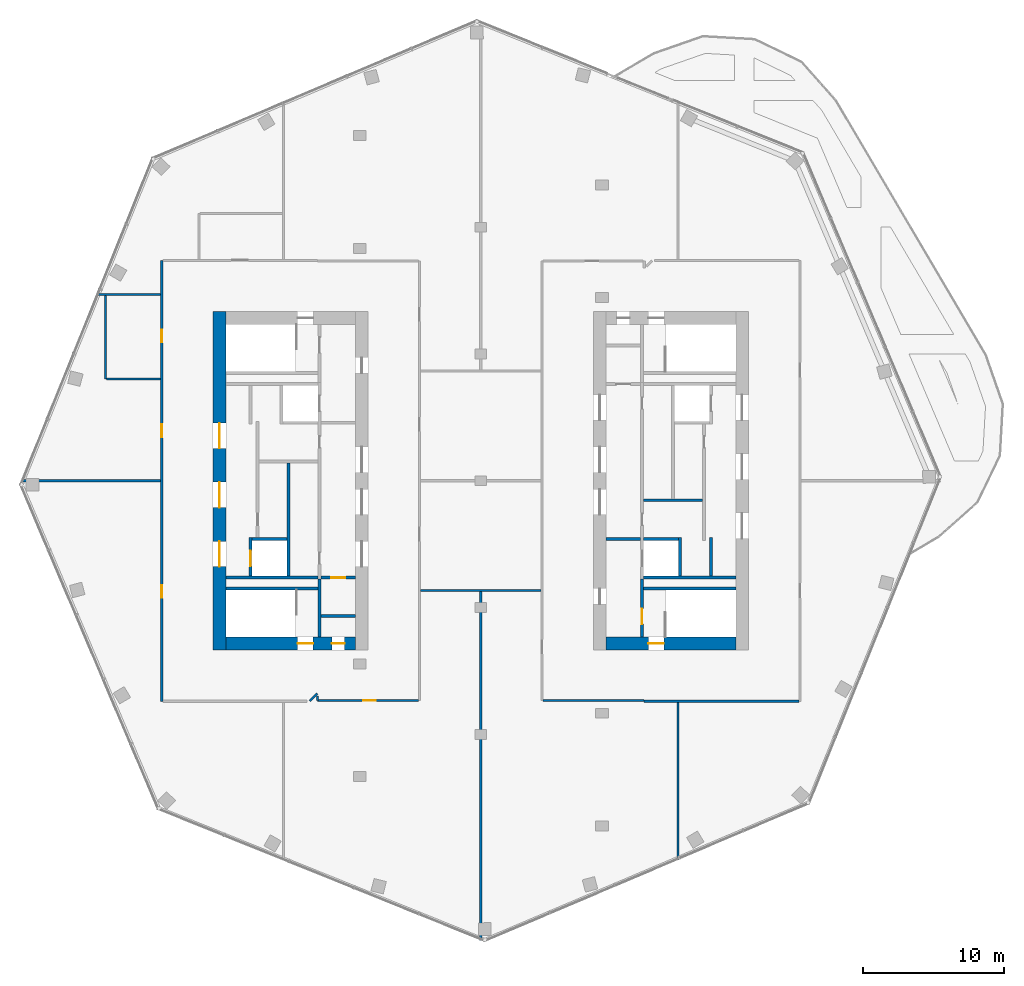
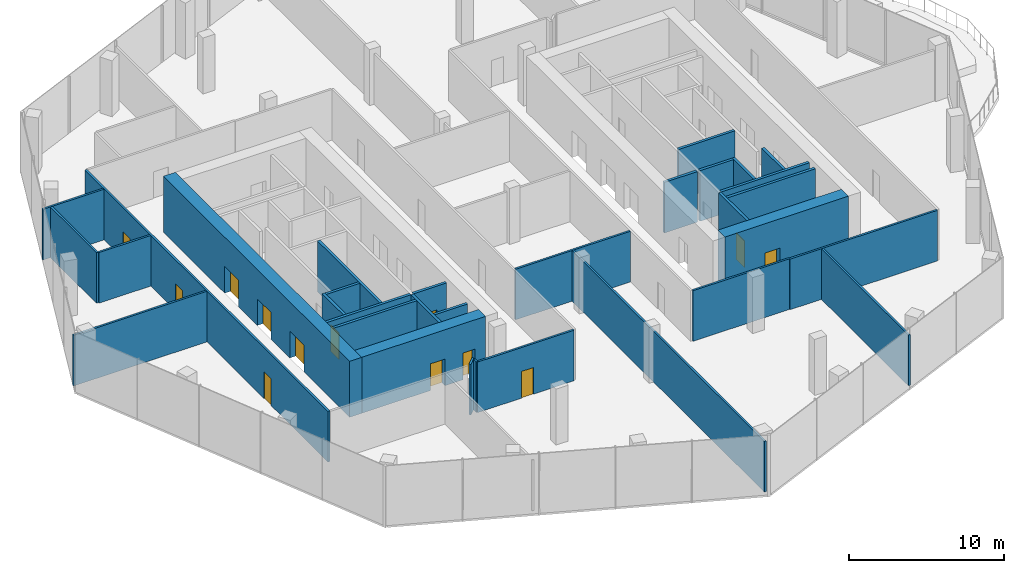
# One storey, part 12 of 15: 32 walls, 13 doors, 13 openings.
"""IFC4 building model written with IfcOpenShell, lengths in metres."""

from ifc_helpers import new_model, si_unit, direction, frame, frame_2d, origin, place, context, subcontext, project, spatial, rectangle, extrude, material, layer, layer_set, type_object, element, fill, save


model = new_model("IFC4")

# Units and contexts
model_context = context("Model", 3, precision=1e-05, world=origin(), true_north=direction((0.0, 1.0)))
body_context = subcontext(model_context, "Body", "Model", "MODEL_VIEW")
ifc_project = project(units=[si_unit("LENGTHUNIT", "METRE"), si_unit("AREAUNIT", "SQUARE_METRE"), si_unit("VOLUMEUNIT", "CUBIC_METRE"), si_unit("PLANEANGLEUNIT", "RADIAN"), si_unit("MASSUNIT", "GRAM", prefix="KILO")], contexts=[model_context])

# Site, building, storey
site_placement = place(None, origin())
site = spatial("IfcSite", under=ifc_project, at=site_placement, CompositionType="ELEMENT")
building_placement = place(site_placement, origin())
building = spatial("IfcBuilding", under=site, at=building_placement, Name="Orlundy Tower", CompositionType="ELEMENT")
storey_placement = place(building_placement, frame((0.0, 0.0, 299.89990234375)))
storey = spatial("IfcBuildingStorey", under=building, at=storey_placement, Name="L80", CompositionType="ELEMENT", Elevation=299.89990234375)

# Wall, openings, doors
ifc_material_1 = material(Name="Concrete C50/60", Category="concrete")
ifc_layer_1 = layer(ifc_material_1, 0.89990234375)
ifc_layer_set_1 = layer_set([ifc_layer_1], Name="CORE WALL 900 C50/60")
wall_type_1 = type_object("IfcWallType", Name="CORE WALL 900 C50/60", PredefinedType="SHEAR", material=ifc_layer_set_1)
wall_1_placement = place(storey_placement, frame((-18.10009765625, -11.550048828125, 0.0), z_axis=(0.0, 0.0, 1.0), x_axis=(1.0, 0.0, 0.0)))
wall_1 = element("IfcWall", 1, at=wall_1_placement, inside=storey, type_object=wall_type_1, Name="Core wall W-S L80", PredefinedType="SHEAR", context=body_context, shape_type="SweptSolid", body=[
    extrude(rectangle(XDim=9.2001953125, YDim=0.89990234375, at=frame_2d((4.60009765625, 0.0))), origin(), (0.0, 0.0, 1.0), 4.400146484375),
])
opening_1_placement = place(wall_1_placement, frame((5.10009765625, 0.0, 0.0)))
opening_1 = element("IfcOpeningElement", 2, at=opening_1_placement, cuts=wall_1, Name="Opening 62014", PredefinedType="OPENING", context=body_context, shape_type="SweptSolid", body=[
    extrude(rectangle(XDim=1.10009765625, YDim=2.10009765625, at=frame_2d((0.550048828125, 1.050048828125))), frame((0.0, 0.4599609375, 0.0), z_axis=(0.0, -1.0, 0.0), x_axis=(1.0, 0.0, 0.0)), (0.0, 0.0, 1.0), 0.919921875),
])
opening_2_placement = place(wall_1_placement, frame((7.530029296875, 0.0, 0.0)))
opening_2 = element("IfcOpeningElement", 3, at=opening_2_placement, cuts=wall_1, Name="Opening 62016", PredefinedType="OPENING", context=body_context, shape_type="SweptSolid", body=[
    extrude(rectangle(XDim=0.89990234375, YDim=2.10009765625, at=frame_2d((0.449951171875, 1.050048828125))), frame((0.0, 0.4599609375, 0.0), z_axis=(0.0, -1.0, 0.0), x_axis=(1.0, 0.0, 0.0)), (0.0, 0.0, 1.0), 0.919921875),
])
ifc_material_2 = material(Name="Timber door set", Category="wood")
door_type_1 = type_object("IfcDoorType", Name="Room Door 900x2100", OperationType="SINGLE_SWING_LEFT", PredefinedType="DOOR", material=ifc_material_2)
door_1_placement = place(opening_2_placement, origin())
door_1 = element("IfcDoor", 4, at=door_1_placement, inside=storey, type_object=door_type_1, Name="Store door 62016", OperationType="SINGLE_SWING_RIGHT", OverallHeight=2.10009765625, OverallWidth=0.89990234375, PredefinedType="DOOR", context=body_context, shape_type="SweptSolid", body=[
    extrude(rectangle(XDim=0.89990234375, YDim=2.10009765625, at=frame_2d((0.449951171875, 1.050048828125))), frame((0.0, 0.02490234375, 0.0), z_axis=(0.0, -1.0, 0.0), x_axis=(1.0, 0.0, 0.0)), (0.0, 0.0, 1.0), 0.050048828125),
])
fill(opening_2, door_1)
ifc_material_3 = material(Name="Steel door set", Category="steel")
door_type_2 = type_object("IfcDoorType", Name="Stair Door 1100x2100", OperationType="SINGLE_SWING_LEFT", PredefinedType="DOOR", material=ifc_material_3)
door_2_placement = place(opening_1_placement, origin())
door_2 = element("IfcDoor", 5, at=door_2_placement, inside=storey, type_object=door_type_2, Name="Stair door 62014", OperationType="SINGLE_SWING_RIGHT", OverallHeight=2.10009765625, OverallWidth=1.10009765625, PredefinedType="DOOR", context=body_context, shape_type="SweptSolid", body=[
    extrude(rectangle(XDim=1.10009765625, YDim=2.10009765625, at=frame_2d((0.550048828125, 1.050048828125))), frame((0.0, 0.02490234375, 0.0), z_axis=(0.0, -1.0, 0.0), x_axis=(1.0, 0.0, 0.0)), (0.0, 0.0, 1.0), 0.050048828125),
])
fill(opening_1, door_2)

wall_2_placement = place(storey_placement, frame((-18.550048828125, -12.0, 0.0), z_axis=(0.0, 0.0, 1.0), x_axis=(0.0, 1.0, 0.0)))
wall_2 = element("IfcWall", 6, at=wall_2_placement, inside=storey, type_object=wall_type_1, Name="Core wall W-W L80", PredefinedType="SHEAR", context=body_context, shape_type="SweptSolid", body=[
    extrude(rectangle(XDim=24.0, YDim=0.89990234375, at=frame_2d((12.0, 0.0))), origin(), (0.0, 0.0, 1.0), 4.400146484375),
])
opening_3_placement = place(wall_2_placement, frame((5.89990234375, 0.0, 0.0)))
opening_3 = element("IfcOpeningElement", 7, at=opening_3_placement, cuts=wall_2, Name="Opening 62007", PredefinedType="OPENING", context=body_context, shape_type="SweptSolid", body=[
    extrude(rectangle(XDim=1.800048828125, YDim=2.10009765625, at=frame_2d((0.89990234375, 1.050048828125))), frame((0.0, 0.4599609375, 0.0), z_axis=(0.0, -1.0, 0.0), x_axis=(1.0, 0.0, 0.0)), (0.0, 0.0, 1.0), 0.919921875),
])
opening_4_placement = place(wall_2_placement, frame((10.10009765625, 0.0, 0.0)))
opening_4 = element("IfcOpeningElement", 8, at=opening_4_placement, cuts=wall_2, Name="Opening 62008", PredefinedType="OPENING", context=body_context, shape_type="SweptSolid", body=[
    extrude(rectangle(XDim=1.800048828125, YDim=2.10009765625, at=frame_2d((0.89990234375, 1.050048828125))), frame((0.0, 0.4599609375, 0.0), z_axis=(0.0, -1.0, 0.0), x_axis=(1.0, 0.0, 0.0)), (0.0, 0.0, 1.0), 0.919921875),
])
opening_5_placement = place(wall_2_placement, frame((14.300048828125, 0.0, 0.0)))
opening_5 = element("IfcOpeningElement", 9, at=opening_5_placement, cuts=wall_2, Name="Opening 62009", PredefinedType="OPENING", context=body_context, shape_type="SweptSolid", body=[
    extrude(rectangle(XDim=1.800048828125, YDim=2.10009765625, at=frame_2d((0.89990234375, 1.050048828125))), frame((0.0, 0.4599609375, 0.0), z_axis=(0.0, -1.0, 0.0), x_axis=(1.0, 0.0, 0.0)), (0.0, 0.0, 1.0), 0.919921875),
])
ifc_material_4 = material(Name="Timber door set", Category="wood")
door_type_3 = type_object("IfcDoorType", Name="Lobby Door 1800x2100", OperationType="DOUBLE_DOOR_DOUBLE_SWING", PredefinedType="DOOR", material=ifc_material_4)
door_3_placement = place(opening_3_placement, origin())
door_3 = element("IfcDoor", 10, at=door_3_placement, inside=storey, type_object=door_type_3, Name="Lift lobby door 62007", OperationType="SINGLE_SWING_LEFT", OverallHeight=2.10009765625, OverallWidth=1.800048828125, PredefinedType="DOOR", context=body_context, shape_type="SweptSolid", body=[
    extrude(rectangle(XDim=1.800048828125, YDim=2.10009765625, at=frame_2d((0.89990234375, 1.050048828125))), frame((0.0, 0.02490234375, 0.0), z_axis=(0.0, -1.0, 0.0), x_axis=(1.0, 0.0, 0.0)), (0.0, 0.0, 1.0), 0.050048828125),
])
fill(opening_3, door_3)
door_4_placement = place(opening_4_placement, origin())
door_4 = element("IfcDoor", 11, at=door_4_placement, inside=storey, type_object=door_type_3, Name="Lift lobby door 62008", OperationType="SINGLE_SWING_LEFT", OverallHeight=2.10009765625, OverallWidth=1.800048828125, PredefinedType="DOOR", context=body_context, shape_type="SweptSolid", body=[
    extrude(rectangle(XDim=1.800048828125, YDim=2.10009765625, at=frame_2d((0.89990234375, 1.050048828125))), frame((0.0, 0.02490234375, 0.0), z_axis=(0.0, -1.0, 0.0), x_axis=(1.0, 0.0, 0.0)), (0.0, 0.0, 1.0), 0.050048828125),
])
fill(opening_4, door_4)
door_5_placement = place(opening_5_placement, origin())
door_5 = element("IfcDoor", 12, at=door_5_placement, inside=storey, type_object=door_type_3, Name="Lift lobby door 62009", OperationType="SINGLE_SWING_RIGHT", OverallHeight=2.10009765625, OverallWidth=1.800048828125, PredefinedType="DOOR", context=body_context, shape_type="SweptSolid", body=[
    extrude(rectangle(XDim=1.800048828125, YDim=2.10009765625, at=frame_2d((0.89990234375, 1.050048828125))), frame((0.0, 0.02490234375, 0.0), z_axis=(0.0, -1.0, 0.0), x_axis=(1.0, 0.0, 0.0)), (0.0, 0.0, 1.0), 0.050048828125),
])
fill(opening_5, door_5)

# Wall, opening, door
wall_3_placement = place(storey_placement, frame((8.89990234375, -11.550048828125, 0.0), z_axis=(0.0, 0.0, 1.0), x_axis=(1.0, 0.0, 0.0)))
wall_3 = element("IfcWall", 13, at=wall_3_placement, inside=storey, type_object=wall_type_1, Name="Core wall E-S L80", PredefinedType="SHEAR", context=body_context, shape_type="SweptSolid", body=[
    extrude(rectangle(XDim=9.2001953125, YDim=0.89990234375, at=frame_2d((4.60009765625, 0.0))), origin(), (0.0, 0.0, 1.0), 4.400146484375),
])
opening_6_placement = place(wall_3_placement, frame((3.0, 0.0, 0.0)))
opening_6 = element("IfcOpeningElement", 14, at=opening_6_placement, cuts=wall_3, Name="Opening 62062", PredefinedType="OPENING", context=body_context, shape_type="SweptSolid", body=[
    extrude(rectangle(XDim=1.10009765625, YDim=2.10009765625, at=frame_2d((0.550048828125, 1.050048828125))), frame((0.0, 0.4599609375, 0.0), z_axis=(0.0, -1.0, 0.0), x_axis=(1.0, 0.0, 0.0)), (0.0, 0.0, 1.0), 0.919921875),
])
door_6_placement = place(opening_6_placement, origin())
door_6 = element("IfcDoor", 15, at=door_6_placement, inside=storey, type_object=door_type_2, Name="Stair door 62062", OperationType="SINGLE_SWING_LEFT", OverallHeight=2.10009765625, OverallWidth=1.10009765625, PredefinedType="DOOR", context=body_context, shape_type="SweptSolid", body=[
    extrude(rectangle(XDim=1.10009765625, YDim=2.10009765625, at=frame_2d((0.550048828125, 1.050048828125))), frame((0.0, 0.02490234375, 0.0), z_axis=(0.0, -1.0, 0.0), x_axis=(1.0, 0.0, 0.0)), (0.0, 0.0, 1.0), 0.050048828125),
])
fill(opening_6, door_6)

# Walls
ifc_material_5 = material(Name="Blockwork shaft wall", Category="masonry")
ifc_layer_2 = layer(ifc_material_5, 0.14990234375)
ifc_layer_set_2 = layer_set([ifc_layer_2], Name="Floor shaft wall 150")
wall_type_2 = type_object("IfcWallType", Name="Floor shaft wall 150", PredefinedType="PARTITIONING", material=ifc_layer_set_2)
wall_4_placement = place(storey_placement, frame((-11.60107421875, -15.27294921875, 0.0), z_axis=(0.0, 0.0, 1.0), x_axis=(0.002985061327, -0.999995544695, 0.0)))
element("IfcWall", 16, at=wall_4_placement, inside=storey, type_object=wall_type_2, Name="wall-int-L80-001", PredefinedType="PARTITIONING", context=body_context, shape_type="SweptSolid", body=[
    extrude(rectangle(XDim=0.3271484375, YDim=0.14990234375, at=frame_2d((0.16357421875, 0.0))), origin(), (0.0, 0.0, 1.0), 3.97998046875),
])
wall_5_placement = place(storey_placement, frame((11.591064453125, -15.65087890625, 0.0), z_axis=(0.0, 0.0, 1.0), x_axis=(1.0, 0.0, 0.0)))
element("IfcWall", 17, at=wall_5_placement, inside=storey, type_object=wall_type_2, Name="wall-int-L80-003", PredefinedType="PARTITIONING", context=body_context, shape_type="SweptSolid", body=[
    extrude(rectangle(XDim=10.98388671875, YDim=0.14990234375, at=frame_2d((5.491943359375, 0.0))), origin(), (0.0, 0.0, 1.0), 3.97998046875),
])

# Wall, opening, door
wall_6_placement = place(storey_placement, frame((-4.424072265625, -15.60009765625, 0.0), z_axis=(0.0, 0.0, 1.0), x_axis=(-1.0, 0.0, 0.0)))
wall_6 = element("IfcWall", 18, at=wall_6_placement, inside=storey, type_object=wall_type_2, Name="wall-int-L80-004", PredefinedType="PARTITIONING", context=body_context, shape_type="SweptSolid", body=[
    extrude(rectangle(XDim=7.176025390625, YDim=0.14990234375, at=frame_2d((3.587890625, 0.0))), origin(), (0.0, 0.0, 1.0), 3.97998046875),
])
opening_7_placement = place(wall_6_placement, frame((3.02490234375, 0.0, 0.0)))
opening_7 = element("IfcOpeningElement", 19, at=opening_7_placement, cuts=wall_6, Name="Opening 62101", PredefinedType="OPENING", context=body_context, shape_type="SweptSolid", body=[
    extrude(rectangle(XDim=0.89990234375, YDim=2.10009765625, at=frame_2d((0.449951171875, 1.050048828125))), frame((0.0, 0.0849609375, 0.0), z_axis=(0.0, -1.0, 0.0), x_axis=(1.0, 0.0, 0.0)), (0.0, 0.0, 1.0), 0.169921875),
])
ifc_material_6 = material(Name="Timber door leaf", Category="wood")
door_type_4 = type_object("IfcDoorType", Name="Floor door single 900 FD60", OperationType="NOTDEFINED", PredefinedType="DOOR", material=ifc_material_6)
door_7_placement = place(opening_7_placement, origin())
door_7 = element("IfcDoor", 20, at=door_7_placement, inside=storey, type_object=door_type_4, Name="Door 62101", OperationType="SINGLE_SWING_LEFT", OverallHeight=2.10009765625, OverallWidth=0.89990234375, PredefinedType="DOOR", context=body_context, shape_type="SweptSolid", body=[
    extrude(rectangle(XDim=0.89990234375, YDim=2.10009765625, at=frame_2d((0.449951171875, 1.050048828125))), frame((0.0, 0.02490234375, 0.0), z_axis=(0.0, -1.0, 0.0), x_axis=(1.0, 0.0, 0.0)), (0.0, 0.0, 1.0), 0.050048828125),
])
fill(opening_7, door_7)

# Walls
wall_7_placement = place(storey_placement, frame((4.425048828125, -15.60009765625, 0.0), z_axis=(0.0, 0.0, 1.0), x_axis=(0.999999990712, -0.000136295487, 0.0)))
element("IfcWall", 21, at=wall_7_placement, inside=storey, type_object=wall_type_2, Name="wall-int-L80-005", PredefinedType="PARTITIONING", context=body_context, shape_type="SweptSolid", body=[
    extrude(rectangle(XDim=7.1650390625, YDim=0.14990234375, at=frame_2d((3.58251953125, 0.0))), origin(), (0.0, 0.0, 1.0), 3.97998046875),
])
wall_8_placement = place(storey_placement, frame((-4.27392578125, -7.799072265625, 0.0), z_axis=(0.0, 0.0, 1.0), x_axis=(1.0, 0.0, 0.0)))
element("IfcWall", 22, at=wall_8_placement, inside=storey, type_object=wall_type_2, Name="wall-int-L80-006", PredefinedType="PARTITIONING", context=body_context, shape_type="SweptSolid", body=[
    extrude(rectangle(XDim=8.548828125, YDim=0.14990234375, at=frame_2d((4.2744140625, 0.0))), origin(), (0.0, 0.0, 1.0), 3.97998046875),
])
wall_9_placement = place(storey_placement, frame((-32.626953125, 0.0, 0.0), z_axis=(0.0, 0.0, 1.0), x_axis=(1.0, 0.0, 0.0)))
element("IfcWall", 23, at=wall_9_placement, inside=storey, type_object=wall_type_2, Name="wall-int-L80-007", PredefinedType="PARTITIONING", context=body_context, shape_type="SweptSolid", body=[
    extrude(rectangle(XDim=9.90185546875, YDim=0.14990234375, at=frame_2d((4.950927734375, 0.0))), origin(), (0.0, 0.0, 1.0), 3.97998046875),
])
wall_10_placement = place(storey_placement, frame((-26.572998046875, 7.236083984375, 0.0), z_axis=(0.0, 0.0, 1.0), x_axis=(1.0, 0.0, 0.0)))
element("IfcWall", 24, at=wall_10_placement, inside=storey, type_object=wall_type_2, Name="wall-int-L80-010", PredefinedType="PARTITIONING", context=body_context, shape_type="SweptSolid", body=[
    extrude(rectangle(XDim=3.847900390625, YDim=0.14990234375, at=frame_2d((1.923828125, 0.0))), origin(), (0.0, 0.0, 1.0), 3.97998046875),
])
wall_11_placement = place(storey_placement, frame((-27.278076171875, 13.237060546875, 0.0), z_axis=(0.0, 0.0, 1.0), x_axis=(1.0, 0.0, 0.0)))
element("IfcWall", 25, at=wall_11_placement, inside=storey, type_object=wall_type_2, Name="wall-int-L80-012", PredefinedType="PARTITIONING", context=body_context, shape_type="SweptSolid", body=[
    extrude(rectangle(XDim=4.552978515625, YDim=0.14990234375, at=frame_2d((2.2763671875, 0.0))), origin(), (0.0, 0.0, 1.0), 3.97998046875),
])
wall_12_placement = place(storey_placement, frame((-12.153076171875, -15.631103515625, 0.0), z_axis=(0.0, 0.0, 1.0), x_axis=(0.707106781187, 0.707106781187, 0.0)))
element("IfcWall", 26, at=wall_12_placement, inside=storey, type_object=wall_type_2, Name="wall-int-L80-018", PredefinedType="PARTITIONING", context=body_context, shape_type="SweptSolid", body=[
    extrude(rectangle(XDim=0.7509765625, YDim=0.14990234375, at=frame_2d((0.37548828125, 0.0))), origin(), (0.0, 0.0, 1.0), 3.97998046875),
])
wall_13_placement = place(storey_placement, frame((14.0, -26.919921875, 0.0), z_axis=(0.0, 0.0, 1.0), x_axis=(0.0, 1.0, 0.0)))
element("IfcWall", 27, at=wall_13_placement, inside=storey, type_object=wall_type_2, Name="wall-int-L80-021", PredefinedType="PARTITIONING", context=body_context, shape_type="SweptSolid", body=[
    extrude(rectangle(XDim=11.19384765625, YDim=0.14990234375, at=frame_2d((5.596923828125, 0.0))), origin(), (0.0, 0.0, 1.0), 3.97998046875),
])
wall_14_placement = place(storey_placement, frame((0.0, -32.626953125, 0.0), z_axis=(0.0, 0.0, 1.0), x_axis=(0.0, 1.0, 0.0)))
element("IfcWall", 28, at=wall_14_placement, inside=storey, type_object=wall_type_2, Name="wall-int-L80-025", PredefinedType="PARTITIONING", context=body_context, shape_type="SweptSolid", body=[
    extrude(rectangle(XDim=24.7529296875, YDim=0.14990234375, at=frame_2d((12.37646484375, 0.0))), origin(), (0.0, 0.0, 1.0), 3.97998046875),
])

# Wall, openings, doors
wall_15_placement = place(storey_placement, frame((-22.64990234375, -15.65087890625, 0.0), z_axis=(0.0, 0.0, 1.0), x_axis=(0.0, 1.0, 0.0)))
wall_15 = element("IfcWall", 29, at=wall_15_placement, inside=storey, type_object=wall_type_2, Name="wall-int-L80-031", PredefinedType="PARTITIONING", context=body_context, shape_type="SweptSolid", body=[
    extrude(rectangle(XDim=31.3017578125, YDim=0.14990234375, at=frame_2d((15.65087890625, 0.0))), origin(), (0.0, 0.0, 1.0), 3.97998046875),
])
opening_8_placement = place(wall_15_placement, frame((7.35009765625, 0.0, 0.0)))
opening_8 = element("IfcOpeningElement", 30, at=opening_8_placement, cuts=wall_15, Name="Opening 62100", PredefinedType="OPENING", context=body_context, shape_type="SweptSolid", body=[
    extrude(rectangle(XDim=0.89990234375, YDim=2.10009765625, at=frame_2d((0.449951171875, 1.050048828125))), frame((0.0, 0.0849609375, 0.0), z_axis=(0.0, -1.0, 0.0), x_axis=(1.0, 0.0, 0.0)), (0.0, 0.0, 1.0), 0.169921875),
])
opening_9_placement = place(wall_15_placement, frame((18.7509765625, 0.0, 0.0)))
opening_9 = element("IfcOpeningElement", 31, at=opening_9_placement, cuts=wall_15, Name="Opening 62109", PredefinedType="OPENING", context=body_context, shape_type="SweptSolid", body=[
    extrude(rectangle(XDim=0.89990234375, YDim=2.10009765625, at=frame_2d((0.449951171875, 1.050048828125))), frame((0.0, 0.0849609375, 0.0), z_axis=(0.0, -1.0, 0.0), x_axis=(1.0, 0.0, 0.0)), (0.0, 0.0, 1.0), 0.169921875),
])
opening_10_placement = place(wall_15_placement, frame((25.487548828125, 0.0, 0.0)))
opening_10 = element("IfcOpeningElement", 32, at=opening_10_placement, cuts=wall_15, Name="Opening 62110", PredefinedType="OPENING", context=body_context, shape_type="SweptSolid", body=[
    extrude(rectangle(XDim=0.89990234375, YDim=2.10009765625, at=frame_2d((0.449951171875, 1.050048828125))), frame((0.0, 0.0849609375, 0.0), z_axis=(0.0, -1.0, 0.0), x_axis=(1.0, 0.0, 0.0)), (0.0, 0.0, 1.0), 0.169921875),
])
door_8_placement = place(opening_8_placement, origin())
door_8 = element("IfcDoor", 33, at=door_8_placement, inside=storey, type_object=door_type_4, Name="Door 62100", OperationType="SINGLE_SWING_LEFT", OverallHeight=2.10009765625, OverallWidth=0.89990234375, PredefinedType="DOOR", context=body_context, shape_type="SweptSolid", body=[
    extrude(rectangle(XDim=0.89990234375, YDim=2.10009765625, at=frame_2d((0.449951171875, 1.050048828125))), frame((0.0, 0.02490234375, 0.0), z_axis=(0.0, -1.0, 0.0), x_axis=(1.0, 0.0, 0.0)), (0.0, 0.0, 1.0), 0.050048828125),
])
fill(opening_8, door_8)
door_9_placement = place(opening_9_placement, origin())
door_9 = element("IfcDoor", 34, at=door_9_placement, inside=storey, type_object=door_type_4, Name="Door 62109", OperationType="SINGLE_SWING_RIGHT", OverallHeight=2.10009765625, OverallWidth=0.89990234375, PredefinedType="DOOR", context=body_context, shape_type="SweptSolid", body=[
    extrude(rectangle(XDim=0.89990234375, YDim=2.10009765625, at=frame_2d((0.449951171875, 1.050048828125))), frame((0.0, 0.02490234375, 0.0), z_axis=(0.0, -1.0, 0.0), x_axis=(1.0, 0.0, 0.0)), (0.0, 0.0, 1.0), 0.050048828125),
])
fill(opening_9, door_9)
door_10_placement = place(opening_10_placement, origin())
door_10 = element("IfcDoor", 35, at=door_10_placement, inside=storey, type_object=door_type_4, Name="Door 62110", OperationType="SINGLE_SWING_RIGHT", OverallHeight=2.10009765625, OverallWidth=0.89990234375, PredefinedType="DOOR", context=body_context, shape_type="SweptSolid", body=[
    extrude(rectangle(XDim=0.89990234375, YDim=2.10009765625, at=frame_2d((0.449951171875, 1.050048828125))), frame((0.0, 0.02490234375, 0.0), z_axis=(0.0, -1.0, 0.0), x_axis=(1.0, 0.0, 0.0)), (0.0, 0.0, 1.0), 0.050048828125),
])
fill(opening_10, door_10)

# Walls
wall_16_placement = place(storey_placement, frame((-26.64794921875, 7.236083984375, 0.0), z_axis=(0.0, 0.0, 1.0), x_axis=(0.0, 1.0, 0.0)))
element("IfcWall", 36, at=wall_16_placement, inside=storey, type_object=wall_type_2, Name="wall-int-L80-032", PredefinedType="PARTITIONING", context=body_context, shape_type="SweptSolid", body=[
    extrude(rectangle(XDim=6.0009765625, YDim=0.14990234375, at=frame_2d((3.00048828125, 0.0))), origin(), (0.0, 0.0, 1.0), 3.97998046875),
])
ifc_material_7 = material(Name="Concrete C40/50", Category="concrete")
ifc_layer_3 = layer(ifc_material_7, 0.199951171875)
ifc_layer_set_3 = layer_set([ifc_layer_3], Name="Load-bearing Shaft Wall 200")
wall_type_3 = type_object("IfcWallType", Name="Load-bearing Shaft Wall 200", PredefinedType="SOLIDWALL", material=ifc_layer_set_3)
wall_17_placement = place(storey_placement, frame((-11.43994140625, -11.10009765625, 0.0), z_axis=(0.0, 0.0, 1.0), x_axis=(0.0, 1.0, 0.0)))
element("IfcWall", 37, at=wall_17_placement, inside=storey, type_object=wall_type_3, Name="Shaft wall W62-stair-end-s", PredefinedType="SOLIDWALL", context=body_context, shape_type="SweptSolid", body=[
    extrude(rectangle(XDim=4.125, YDim=0.199951171875, at=frame_2d((2.0625, 0.0))), origin(), (0.0, 0.0, 1.0), 3.97998046875),
])
wall_18_placement = place(storey_placement, frame((-11.5400390625, -7.64990234375, 0.0), z_axis=(0.0, 0.0, 1.0), x_axis=(-1.0, 0.0, 0.0)))
element("IfcWall", 38, at=wall_18_placement, inside=storey, type_object=wall_type_3, Name="Shaft wall W62-stair-side-s", PredefinedType="SOLIDWALL", context=body_context, shape_type="SweptSolid", body=[
    extrude(rectangle(XDim=6.56005859375, YDim=0.199951171875, at=frame_2d((3.280029296875, 0.0))), origin(), (0.0, 0.0, 1.0), 3.97998046875),
])

# Wall, opening, door
wall_19_placement = place(storey_placement, frame((11.43994140625, -6.97509765625, 0.0), z_axis=(0.0, 0.0, 1.0), x_axis=(0.0, -1.0, 0.0)))
wall_19 = element("IfcWall", 39, at=wall_19_placement, inside=storey, type_object=wall_type_3, Name="Shaft wall E62-stair-end-n", PredefinedType="SOLIDWALL", context=body_context, shape_type="SweptSolid", body=[
    extrude(rectangle(XDim=4.125, YDim=0.199951171875, at=frame_2d((2.0625, 0.0))), origin(), (0.0, 0.0, 1.0), 3.97998046875),
])
opening_11_placement = place(wall_19_placement, frame((2.10009765625, 0.0, 0.0)))
opening_11 = element("IfcOpeningElement", 40, at=opening_11_placement, cuts=wall_19, Name="Opening 62064", PredefinedType="OPENING", context=body_context, shape_type="SweptSolid", body=[
    extrude(rectangle(XDim=1.10009765625, YDim=2.10009765625, at=frame_2d((0.550048828125, 1.050048828125))), frame((0.0, 0.110107421875, 0.0), z_axis=(0.0, -1.0, 0.0), x_axis=(1.0, 0.0, 0.0)), (0.0, 0.0, 1.0), 0.22021484375),
])
ifc_material_8 = material(Name="Steel door set", Category="steel")
door_type_5 = type_object("IfcDoorType", Name="Fire-fighting Lobby Door 1100x2100", OperationType="SINGLE_SWING_LEFT", PredefinedType="DOOR", material=ifc_material_8)
door_11_placement = place(opening_11_placement, origin())
door_11 = element("IfcDoor", 41, at=door_11_placement, inside=storey, type_object=door_type_5, Name="Fire-fighting lobby to stair door 62064", OperationType="SINGLE_SWING_RIGHT", OverallHeight=2.10009765625, OverallWidth=1.10009765625, PredefinedType="DOOR", context=body_context, shape_type="SweptSolid", body=[
    extrude(rectangle(XDim=1.10009765625, YDim=2.10009765625, at=frame_2d((0.550048828125, 1.050048828125))), frame((0.0, 0.02490234375, 0.0), z_axis=(0.0, -1.0, 0.0), x_axis=(1.0, 0.0, 0.0)), (0.0, 0.0, 1.0), 0.050048828125),
])
fill(opening_11, door_11)

# Wall
wall_20_placement = place(storey_placement, frame((11.5400390625, -7.64990234375, 0.0), z_axis=(0.0, 0.0, 1.0), x_axis=(1.0, 0.0, 0.0)))
element("IfcWall", 42, at=wall_20_placement, inside=storey, type_object=wall_type_3, Name="Shaft wall E62-stair-side-n", PredefinedType="SOLIDWALL", context=body_context, shape_type="SweptSolid", body=[
    extrude(rectangle(XDim=6.56005859375, YDim=0.199951171875, at=frame_2d((3.280029296875, 0.0))), origin(), (0.0, 0.0, 1.0), 3.97998046875),
])

# Wall, opening, door
ifc_material_9 = material(Name="Gypsum board partition on steel studs", Category="steel")
ifc_layer_4 = layer(ifc_material_9, 0.199951171875)
ifc_layer_set_4 = layer_set([ifc_layer_4], Name="Partition 200")
wall_type_4 = type_object("IfcWallType", Name="Partition 200", PredefinedType="PARTITIONING", material=ifc_layer_set_4)
wall_21_placement = place(storey_placement, frame((-8.89990234375, -6.875, 0.0), z_axis=(0.0, 0.0, 1.0), x_axis=(-1.0, 0.0, 0.0)))
wall_21 = element("IfcWall", 43, at=wall_21_placement, inside=storey, type_object=wall_type_4, Name="Partition wall W62-end-s", PredefinedType="PARTITIONING", context=body_context, shape_type="SweptSolid", body=[
    extrude(rectangle(XDim=2.440185546875, YDim=0.199951171875, at=frame_2d((1.22021484375, 0.0))), origin(), (0.0, 0.0, 1.0), 3.97998046875),
])
opening_12_placement = place(wall_21_placement, frame((0.719970703125, 0.0, 0.0)))
opening_12 = element("IfcOpeningElement", 44, at=opening_12_placement, cuts=wall_21, Name="Opening 62017", PredefinedType="OPENING", context=body_context, shape_type="SweptSolid", body=[
    extrude(rectangle(XDim=1.0, YDim=2.10009765625, at=frame_2d((0.5, 1.050048828125))), frame((0.0, 0.110107421875, 0.0), z_axis=(0.0, -1.0, 0.0), x_axis=(1.0, 0.0, 0.0)), (0.0, 0.0, 1.0), 0.22021484375),
])
ifc_material_10 = material(Name="Timber door set", Category="wood")
door_type_6 = type_object("IfcDoorType", Name="Accessible Door 1000x2100", OperationType="SINGLE_SWING_LEFT", PredefinedType="DOOR", material=ifc_material_10)
door_12_placement = place(opening_12_placement, origin())
door_12 = element("IfcDoor", 45, at=door_12_placement, inside=storey, type_object=door_type_6, Name="Accessible WC door 62017", OperationType="SINGLE_SWING_RIGHT", OverallHeight=2.10009765625, OverallWidth=1.0, PredefinedType="DOOR", context=body_context, shape_type="SweptSolid", body=[
    extrude(rectangle(XDim=1.0, YDim=2.10009765625, at=frame_2d((0.5, 1.050048828125))), frame((0.0, 0.02490234375, 0.0), z_axis=(0.0, -1.0, 0.0), x_axis=(1.0, 0.0, 0.0)), (0.0, 0.0, 1.0), 0.050048828125),
])
fill(opening_12, door_12)

# Walls
for number, where, z_axis, x_axis, name in (
    (46, (-8.89990234375, -9.60009765625, 0.0), (0.0, 0.0, 1.0), (-1.0, 0.0, 0.0), "Partition wall W62-room-s0"),
    (47, (8.89990234375, -4.125, 0.0), (0.0, 0.0, 1.0), (1.0, 0.0, 0.0), "Partition wall E62-lobby-n"),
):
    element("IfcWall", number, at=place(storey_placement, frame(where, z_axis=z_axis, x_axis=x_axis)), inside=storey, type_object=wall_type_4, Name=name, PredefinedType="PARTITIONING", context=body_context, shape_type="SweptSolid", body=[
        extrude(rectangle(XDim=2.440185546875, YDim=0.199951171875, at=frame_2d((1.22021484375, 0.0))), origin(), (0.0, 0.0, 1.0), 3.97998046875),
    ])
ifc_material_11 = material(Name="Fire-rated blockwork shaft wall", Category="masonry")
ifc_layer_5 = layer(ifc_material_11, 0.199951171875)
ifc_layer_set_5 = layer_set([ifc_layer_5], Name="Shaft Wall 200")
wall_type_5 = type_object("IfcWallType", Name="Shaft Wall 200", PredefinedType="SOLIDWALL", material=ifc_layer_set_5)
wall_22_placement = place(storey_placement, frame((-11.5400390625, -6.875, 0.0), z_axis=(0.0, 0.0, 1.0), x_axis=(-1.0, 0.0, 0.0)))
element("IfcWall", 48, at=wall_22_placement, inside=storey, type_object=wall_type_5, Name="Shaft wall W62-zone-s", PredefinedType="SOLIDWALL", context=body_context, shape_type="SweptSolid", body=[
    extrude(rectangle(XDim=6.56005859375, YDim=0.199951171875, at=frame_2d((3.280029296875, 0.0))), origin(), (0.0, 0.0, 1.0), 3.97998046875),
])
wall_23_placement = place(storey_placement, frame((-13.739990234375, -4.125, 0.0), z_axis=(0.0, 0.0, 1.0), x_axis=(-1.0, 0.0, 0.0)))
element("IfcWall", 49, at=wall_23_placement, inside=storey, type_object=wall_type_5, Name="Shaft wall W62-cross-4.125", PredefinedType="SOLIDWALL", context=body_context, shape_type="SweptSolid", body=[
    extrude(rectangle(XDim=2.5, YDim=0.199951171875, at=frame_2d((1.25, 0.0))), origin(), (0.0, 0.0, 1.0), 3.97998046875),
])
wall_24_placement = place(storey_placement, frame((-13.639892578125, -6.77490234375, 0.0), z_axis=(0.0, 0.0, 1.0), x_axis=(0.0, 1.0, 0.0)))
element("IfcWall", 50, at=wall_24_placement, inside=storey, type_object=wall_type_5, Name="Shaft wall W62-mid-a", PredefinedType="SOLIDWALL", context=body_context, shape_type="SweptSolid", body=[
    extrude(rectangle(XDim=8.0498046875, YDim=0.199951171875, at=frame_2d((4.02490234375, 0.0))), origin(), (0.0, 0.0, 1.0), 3.97998046875),
])

# Wall, opening, door
wall_25_placement = place(storey_placement, frame((-16.340087890625, -6.77490234375, 0.0), z_axis=(0.0, 0.0, 1.0), x_axis=(0.0, 1.0, 0.0)))
wall_25 = element("IfcWall", 51, at=wall_25_placement, inside=storey, type_object=wall_type_5, Name="Shaft wall W62-front-o-a", PredefinedType="SOLIDWALL", context=body_context, shape_type="SweptSolid", body=[
    extrude(rectangle(XDim=2.75, YDim=0.199951171875, at=frame_2d((1.375, 0.0))), origin(), (0.0, 0.0, 1.0), 3.97998046875),
])
opening_13_placement = place(wall_25_placement, frame((0.72509765625, 0.0, 0.0)))
opening_13 = element("IfcOpeningElement", 52, at=opening_13_placement, cuts=wall_25, Name="Opening 62001", PredefinedType="OPENING", context=body_context, shape_type="SweptSolid", body=[
    extrude(rectangle(XDim=1.10009765625, YDim=2.10009765625, at=frame_2d((0.550048828125, 1.050048828125))), frame((0.0, 0.110107421875, 0.0), z_axis=(0.0, -1.0, 0.0), x_axis=(1.0, 0.0, 0.0)), (0.0, 0.0, 1.0), 0.22021484375),
])
ifc_material_12 = material(Name="Steel door set", Category="steel")
door_type_7 = type_object("IfcDoorType", Name="Landing Door 1100x2100", OperationType="DOUBLE_DOOR_SLIDING", PredefinedType="DOOR", material=ifc_material_12)
door_13_placement = place(opening_13_placement, origin())
door_13 = element("IfcDoor", 53, at=door_13_placement, inside=storey, type_object=door_type_7, Name="Lift landing door LV-01 62001", OperationType="DOUBLE_DOOR_SLIDING", OverallHeight=2.10009765625, OverallWidth=1.10009765625, PredefinedType="DOOR", context=body_context, shape_type="SweptSolid", body=[
    extrude(rectangle(XDim=1.10009765625, YDim=2.10009765625, at=frame_2d((0.550048828125, 1.050048828125))), frame((0.0, 0.02490234375, 0.0), z_axis=(0.0, -1.0, 0.0), x_axis=(1.0, 0.0, 0.0)), (0.0, 0.0, 1.0), 0.050048828125),
])
fill(opening_13, door_13)

# Walls
wall_26_placement = place(storey_placement, frame((11.5400390625, -6.875, 0.0), z_axis=(0.0, 0.0, 1.0), x_axis=(1.0, 0.0, 0.0)))
element("IfcWall", 54, at=wall_26_placement, inside=storey, type_object=wall_type_5, Name="Shaft wall E62-zone-n", PredefinedType="SOLIDWALL", context=body_context, shape_type="SweptSolid", body=[
    extrude(rectangle(XDim=6.56005859375, YDim=0.199951171875, at=frame_2d((3.280029296875, 0.0))), origin(), (0.0, 0.0, 1.0), 3.97998046875),
])
wall_27_placement = place(storey_placement, frame((11.5400390625, -1.375, 0.0), z_axis=(0.0, 0.0, 1.0), x_axis=(1.0, 0.0, 0.0)))
element("IfcWall", 55, at=wall_27_placement, inside=storey, type_object=wall_type_5, Name="Shaft wall E62-cross+1.375", PredefinedType="SOLIDWALL", context=body_context, shape_type="SweptSolid", body=[
    extrude(rectangle(XDim=4.199951171875, YDim=0.199951171875, at=frame_2d((2.10009765625, 0.0))), origin(), (0.0, 0.0, 1.0), 3.97998046875),
])
wall_28_placement = place(storey_placement, frame((11.5400390625, -4.125, 0.0), z_axis=(0.0, 0.0, 1.0), x_axis=(1.0, 0.0, 0.0)))
element("IfcWall", 56, at=wall_28_placement, inside=storey, type_object=wall_type_5, Name="Shaft wall E62-cross+4.125", PredefinedType="SOLIDWALL", context=body_context, shape_type="SweptSolid", body=[
    extrude(rectangle(XDim=2.5, YDim=0.199951171875, at=frame_2d((1.25, 0.0))), origin(), (0.0, 0.0, 1.0), 3.97998046875),
])
for number, where, z_axis, x_axis, name in (
    (57, (14.139892578125, -4.02490234375, 0.0), (0.0, 0.0, 1.0), (0.0, -1.0, 0.0), "Shaft wall E62-mid-b"),
    (58, (16.340087890625, -4.02490234375, 0.0), (0.0, 0.0, 1.0), (0.0, -1.0, 0.0), "Shaft wall E62-front-o-c"),
):
    element("IfcWall", number, at=place(storey_placement, frame(where, z_axis=z_axis, x_axis=x_axis)), inside=storey, type_object=wall_type_5, Name=name, PredefinedType="SOLIDWALL", context=body_context, shape_type="SweptSolid", body=[
        extrude(rectangle(XDim=2.75, YDim=0.199951171875, at=frame_2d((1.375, 0.0))), origin(), (0.0, 0.0, 1.0), 3.97998046875),
    ])

save(model, "model.ifc")
